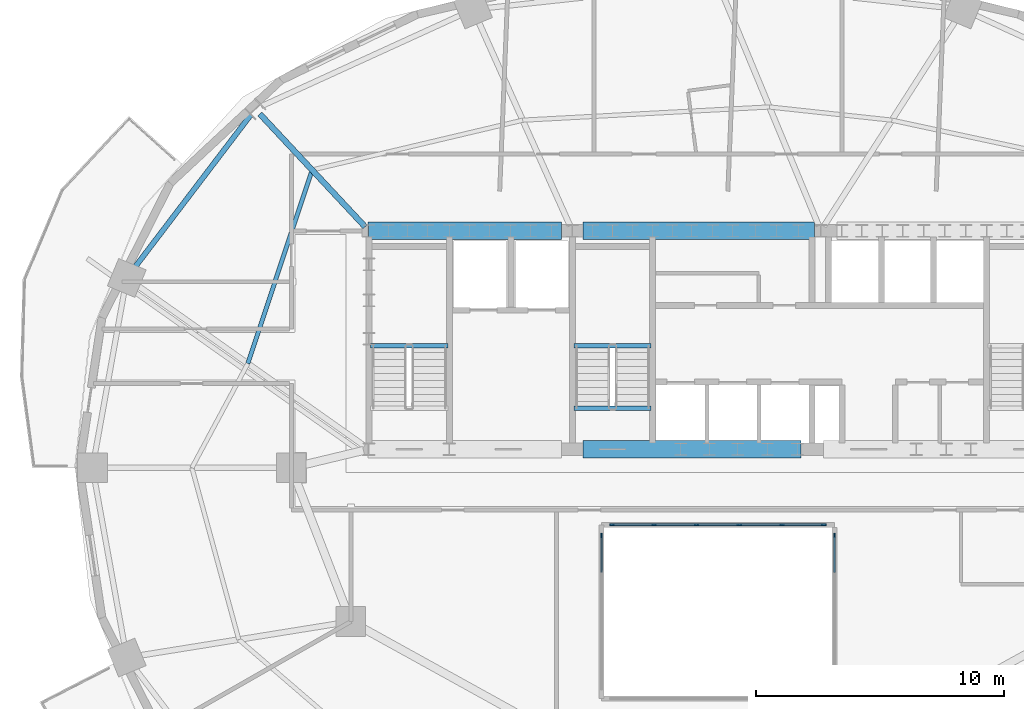
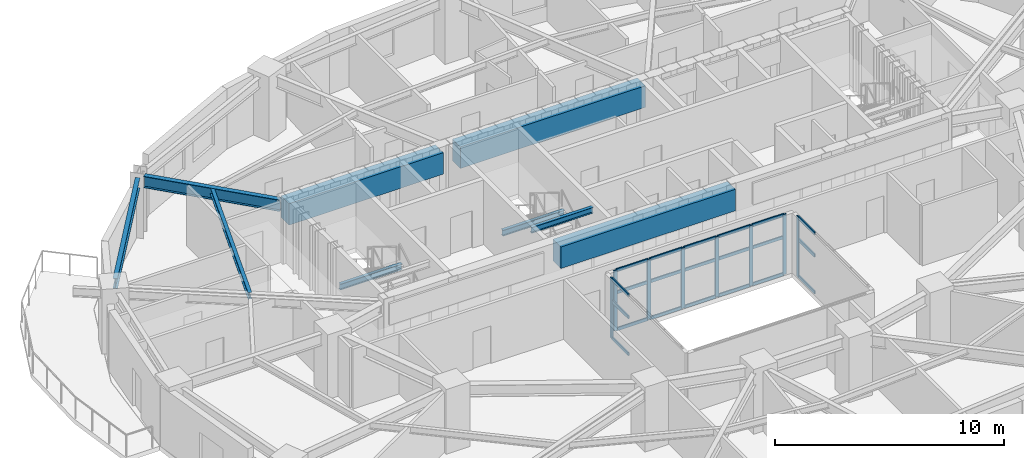
# One storey, part 3 of 13: 29 members, 9 beams, 3 elements without a shape of their own.
"""IFC4 building model written with IfcOpenShell, lengths in metres."""

from ifc_helpers import new_model, si_unit, direction, frame, origin, origin_2d, place, context, subcontext, project, spatial, rectangle, i_section, extrude, material, material_profile, profile_set, type_object, element, aggregate, save


model = new_model("IFC4")

# Units and contexts
model_context = context("Model", 3, precision=1e-05, world=origin(), true_north=direction((0.0, 1.0)))
body_context = subcontext(model_context, "Body", "Model", "MODEL_VIEW")
ifc_project = project(units=[si_unit("LENGTHUNIT", "METRE"), si_unit("AREAUNIT", "SQUARE_METRE"), si_unit("VOLUMEUNIT", "CUBIC_METRE"), si_unit("PLANEANGLEUNIT", "RADIAN"), si_unit("MASSUNIT", "GRAM", prefix="KILO")], contexts=[model_context])

# Site, building, storey
site_placement = place(None, origin())
site = spatial("IfcSite", under=ifc_project, at=site_placement, CompositionType="ELEMENT")
building_placement = place(site_placement, origin())
building = spatial("IfcBuilding", under=site, at=building_placement, Name="Haldorwick Loom Tower", CompositionType="ELEMENT")
storey_placement = place(building_placement, frame((0.0, 0.0, 135.64990234375)))
storey = spatial("IfcBuildingStorey", under=building, at=storey_placement, Name="L36", CompositionType="ELEMENT", Elevation=135.64990234375)

# Curtain wall, members
ifc_material_1 = material(Name="Thermally Broken Anodized Aluminium Curtain Wall Framing", Category="aluminium")
curtain_wall_type = type_object("IfcCurtainWallType", Name="ARC-CW-03", PredefinedType="NOTDEFINED", material=ifc_material_1)
curtain_wall_1_placement = place(storey_placement, origin())
curtain_wall_1 = element("IfcCurtainWall", 1, at=curtain_wall_1_placement, inside=storey, type_object=curtain_wall_type, Name="L36 Atrium Glazed Screen N", PredefinedType="NOTDEFINED")
ifc_material_profile_1 = material_profile(ifc_material_1, rectangle(XDim=0.06591796875, YDim=0.18505859375, at=origin_2d()), Name="ALU_MUL_66X185", Category="aluminium")
ifc_profile_set_1 = profile_set([ifc_material_profile_1], Name="Thermally Broken Anodized Aluminium Curtain Wall Framing")
member_type_1 = type_object("IfcMemberType", Name="ARC-CWM-03", PredefinedType="MULLION", material=ifc_profile_set_1)
member_1_placement = place(storey_placement, frame((31.73291015625, 23.699951171875, 0.0), z_axis=(0.0, 0.0, 1.0), x_axis=(0.0, 1.0, 0.0)))
member_1 = element("IfcMember", 2, at=member_1_placement, type_object=member_type_1, Name="CW-03 mullion 1", PredefinedType="MULLION", context=body_context, shape_type="SweptSolid", body=[
    extrude(rectangle(XDim=0.06591796875, YDim=0.18505859375, at=origin_2d()), origin(), (0.0, 0.0, 1.0), 3.210205078125),
])
member_2_placement = place(storey_placement, frame((33.419921875, 23.699951171875, 0.0), z_axis=(0.0, 0.0, 1.0), x_axis=(0.0, 1.0, 0.0)))
member_2 = element("IfcMember", 3, at=member_2_placement, type_object=member_type_1, Name="CW-03 mullion 2", PredefinedType="MULLION", context=body_context, shape_type="SweptSolid", body=[
    extrude(rectangle(XDim=0.06591796875, YDim=0.18505859375, at=origin_2d()), origin(), (0.0, 0.0, 1.0), 3.210205078125),
])
member_3_placement = place(storey_placement, frame((35.139892578125, 23.699951171875, 0.0), z_axis=(0.0, 0.0, 1.0), x_axis=(0.0, 1.0, 0.0)))
member_3 = element("IfcMember", 4, at=member_3_placement, type_object=member_type_1, Name="CW-03 mullion 3", PredefinedType="MULLION", context=body_context, shape_type="SweptSolid", body=[
    extrude(rectangle(XDim=0.06591796875, YDim=0.18505859375, at=origin_2d()), origin(), (0.0, 0.0, 1.0), 3.210205078125),
])
member_4_placement = place(storey_placement, frame((36.860107421875, 23.699951171875, 0.0), z_axis=(0.0, 0.0, 1.0), x_axis=(0.0, 1.0, 0.0)))
member_4 = element("IfcMember", 5, at=member_4_placement, type_object=member_type_1, Name="CW-03 mullion 4", PredefinedType="MULLION", context=body_context, shape_type="SweptSolid", body=[
    extrude(rectangle(XDim=0.06591796875, YDim=0.18505859375, at=origin_2d()), origin(), (0.0, 0.0, 1.0), 3.210205078125),
])
member_5_placement = place(storey_placement, frame((38.580078125, 23.699951171875, 0.0), z_axis=(0.0, 0.0, 1.0), x_axis=(0.0, 1.0, 0.0)))
member_5 = element("IfcMember", 6, at=member_5_placement, type_object=member_type_1, Name="CW-03 mullion 5", PredefinedType="MULLION", context=body_context, shape_type="SweptSolid", body=[
    extrude(rectangle(XDim=0.06591796875, YDim=0.18505859375, at=origin_2d()), origin(), (0.0, 0.0, 1.0), 3.210205078125),
])
member_6_placement = place(storey_placement, frame((40.26708984375, 23.699951171875, 0.0), z_axis=(0.0, 0.0, 1.0), x_axis=(0.0, 1.0, 0.0)))
member_6 = element("IfcMember", 7, at=member_6_placement, type_object=member_type_1, Name="CW-03 mullion 6", PredefinedType="MULLION", context=body_context, shape_type="SweptSolid", body=[
    extrude(rectangle(XDim=0.06591796875, YDim=0.18505859375, at=origin_2d()), origin(), (0.0, 0.0, 1.0), 3.210205078125),
])

# Curtain wall, member
curtain_wall_2_placement = place(storey_placement, origin())
curtain_wall_2 = element("IfcCurtainWall", 8, at=curtain_wall_2_placement, inside=storey, type_object=curtain_wall_type, Name="L36 Atrium Glazed Screen W", PredefinedType="NOTDEFINED")
member_7_placement = place(storey_placement, frame((31.300048828125, 23.26708984375, 0.0), z_axis=(0.0, 0.0, 1.0), x_axis=(-1.0, 0.0, 0.0)))
member_7 = element("IfcMember", 9, at=member_7_placement, type_object=member_type_1, Name="CW-03 mullion 5", PredefinedType="MULLION", context=body_context, shape_type="SweptSolid", body=[
    extrude(rectangle(XDim=0.06591796875, YDim=0.18505859375, at=origin_2d()), origin(), (0.0, 0.0, 1.0), 3.210205078125),
])

curtain_wall_3_placement = place(storey_placement, origin())
curtain_wall_3 = element("IfcCurtainWall", 10, at=curtain_wall_3_placement, inside=storey, type_object=curtain_wall_type, Name="L36 Atrium Glazed Screen E", PredefinedType="NOTDEFINED")
member_8_placement = place(storey_placement, frame((40.699951171875, 23.26708984375, 0.0), z_axis=(0.0, 0.0, 1.0), x_axis=(1.0, 0.0, 0.0)))
member_8 = element("IfcMember", 11, at=member_8_placement, type_object=member_type_1, Name="CW-03 mullion 1", PredefinedType="MULLION", context=body_context, shape_type="SweptSolid", body=[
    extrude(rectangle(XDim=0.06591796875, YDim=0.18505859375, at=origin_2d()), origin(), (0.0, 0.0, 1.0), 3.210205078125),
])

# Member
ifc_material_profile_2 = material_profile(ifc_material_1, rectangle(XDim=0.06591796875, YDim=0.1650390625, at=origin_2d()), Name="ALU_TRN_66X165", Category="aluminium")
ifc_profile_set_2 = profile_set([ifc_material_profile_2], Name="Thermally Broken Anodized Aluminium Curtain Wall Framing")
member_type_2 = type_object("IfcMemberType", Name="ARC-CWT-03", PredefinedType="USERDEFINED", material=ifc_profile_set_2)
member_9_placement = place(storey_placement, frame((31.76611328125, 23.699951171875, 0.033203125), z_axis=(1.0, 0.0, 0.0), x_axis=(0.0, 1.0, 0.0)))
member_9 = element("IfcMember", 12, at=member_9_placement, type_object=member_type_2, Name="CW-03 transom 1.1", ObjectType="TRANSOM", PredefinedType="USERDEFINED", context=body_context, shape_type="SweptSolid", body=[
    extrude(rectangle(XDim=0.06591796875, YDim=0.1650390625, at=origin_2d()), origin(), (0.0, 0.0, 1.0), 1.620849609375),
])

member_10_placement = place(storey_placement, frame((31.76611328125, 23.699951171875, 2.0), z_axis=(1.0, 0.0, 0.0), x_axis=(0.0, 1.0, 0.0)))
member_10 = element("IfcMember", 13, at=member_10_placement, type_object=member_type_2, Name="CW-03 transom 1.2", ObjectType="TRANSOM", PredefinedType="USERDEFINED", context=body_context, shape_type="SweptSolid", body=[
    extrude(rectangle(XDim=0.06591796875, YDim=0.1650390625, at=origin_2d()), origin(), (0.0, 0.0, 1.0), 1.620849609375),
])

member_11_placement = place(storey_placement, frame((31.76611328125, 23.699951171875, 3.177001953125), z_axis=(1.0, 0.0, 0.0), x_axis=(0.0, 1.0, 0.0)))
member_11 = element("IfcMember", 14, at=member_11_placement, type_object=member_type_2, Name="CW-03 transom 1.3", ObjectType="TRANSOM", PredefinedType="USERDEFINED", context=body_context, shape_type="SweptSolid", body=[
    extrude(rectangle(XDim=0.06591796875, YDim=0.1650390625, at=origin_2d()), origin(), (0.0, 0.0, 1.0), 1.620849609375),
])

member_12_placement = place(storey_placement, frame((33.452880859375, 23.699951171875, 0.033203125), z_axis=(1.0, 0.0, 0.0), x_axis=(0.0, 1.0, 0.0)))
member_12 = element("IfcMember", 15, at=member_12_placement, type_object=member_type_2, Name="CW-03 transom 2.1", ObjectType="TRANSOM", PredefinedType="USERDEFINED", context=body_context, shape_type="SweptSolid", body=[
    extrude(rectangle(XDim=0.06591796875, YDim=0.1650390625, at=origin_2d()), origin(), (0.0, 0.0, 1.0), 1.654052734375),
])

member_13_placement = place(storey_placement, frame((33.452880859375, 23.699951171875, 2.0), z_axis=(1.0, 0.0, 0.0), x_axis=(0.0, 1.0, 0.0)))
member_13 = element("IfcMember", 16, at=member_13_placement, type_object=member_type_2, Name="CW-03 transom 2.2", ObjectType="TRANSOM", PredefinedType="USERDEFINED", context=body_context, shape_type="SweptSolid", body=[
    extrude(rectangle(XDim=0.06591796875, YDim=0.1650390625, at=origin_2d()), origin(), (0.0, 0.0, 1.0), 1.654052734375),
])

member_14_placement = place(storey_placement, frame((33.452880859375, 23.699951171875, 3.177001953125), z_axis=(1.0, 0.0, 0.0), x_axis=(0.0, 1.0, 0.0)))
member_14 = element("IfcMember", 17, at=member_14_placement, type_object=member_type_2, Name="CW-03 transom 2.3", ObjectType="TRANSOM", PredefinedType="USERDEFINED", context=body_context, shape_type="SweptSolid", body=[
    extrude(rectangle(XDim=0.06591796875, YDim=0.1650390625, at=origin_2d()), origin(), (0.0, 0.0, 1.0), 1.654052734375),
])

member_15_placement = place(storey_placement, frame((35.173095703125, 23.699951171875, 0.033203125), z_axis=(1.0, 0.0, 0.0), x_axis=(0.0, 1.0, 0.0)))
member_15 = element("IfcMember", 18, at=member_15_placement, type_object=member_type_2, Name="CW-03 transom 3.1", ObjectType="TRANSOM", PredefinedType="USERDEFINED", context=body_context, shape_type="SweptSolid", body=[
    extrude(rectangle(XDim=0.06591796875, YDim=0.1650390625, at=origin_2d()), origin(), (0.0, 0.0, 1.0), 1.65380859375),
])

member_16_placement = place(storey_placement, frame((35.173095703125, 23.699951171875, 2.0), z_axis=(1.0, 0.0, 0.0), x_axis=(0.0, 1.0, 0.0)))
member_16 = element("IfcMember", 19, at=member_16_placement, type_object=member_type_2, Name="CW-03 transom 3.2", ObjectType="TRANSOM", PredefinedType="USERDEFINED", context=body_context, shape_type="SweptSolid", body=[
    extrude(rectangle(XDim=0.06591796875, YDim=0.1650390625, at=origin_2d()), origin(), (0.0, 0.0, 1.0), 1.65380859375),
])

member_17_placement = place(storey_placement, frame((35.173095703125, 23.699951171875, 3.177001953125), z_axis=(1.0, 0.0, 0.0), x_axis=(0.0, 1.0, 0.0)))
member_17 = element("IfcMember", 20, at=member_17_placement, type_object=member_type_2, Name="CW-03 transom 3.3", ObjectType="TRANSOM", PredefinedType="USERDEFINED", context=body_context, shape_type="SweptSolid", body=[
    extrude(rectangle(XDim=0.06591796875, YDim=0.1650390625, at=origin_2d()), origin(), (0.0, 0.0, 1.0), 1.65380859375),
])

member_18_placement = place(storey_placement, frame((36.89306640625, 23.699951171875, 0.033203125), z_axis=(1.0, 0.0, 0.0), x_axis=(0.0, 1.0, 0.0)))
member_18 = element("IfcMember", 21, at=member_18_placement, type_object=member_type_2, Name="CW-03 transom 4.1", ObjectType="TRANSOM", PredefinedType="USERDEFINED", context=body_context, shape_type="SweptSolid", body=[
    extrude(rectangle(XDim=0.06591796875, YDim=0.1650390625, at=origin_2d()), origin(), (0.0, 0.0, 1.0), 1.654052734375),
])

member_19_placement = place(storey_placement, frame((36.89306640625, 23.699951171875, 2.0), z_axis=(1.0, 0.0, 0.0), x_axis=(0.0, 1.0, 0.0)))
member_19 = element("IfcMember", 22, at=member_19_placement, type_object=member_type_2, Name="CW-03 transom 4.2", ObjectType="TRANSOM", PredefinedType="USERDEFINED", context=body_context, shape_type="SweptSolid", body=[
    extrude(rectangle(XDim=0.06591796875, YDim=0.1650390625, at=origin_2d()), origin(), (0.0, 0.0, 1.0), 1.654052734375),
])

member_20_placement = place(storey_placement, frame((36.89306640625, 23.699951171875, 3.177001953125), z_axis=(1.0, 0.0, 0.0), x_axis=(0.0, 1.0, 0.0)))
member_20 = element("IfcMember", 23, at=member_20_placement, type_object=member_type_2, Name="CW-03 transom 4.3", ObjectType="TRANSOM", PredefinedType="USERDEFINED", context=body_context, shape_type="SweptSolid", body=[
    extrude(rectangle(XDim=0.06591796875, YDim=0.1650390625, at=origin_2d()), origin(), (0.0, 0.0, 1.0), 1.654052734375),
])

member_21_placement = place(storey_placement, frame((38.613037109375, 23.699951171875, 0.033203125), z_axis=(1.0, 0.0, 0.0), x_axis=(0.0, 1.0, 0.0)))
member_21 = element("IfcMember", 24, at=member_21_placement, type_object=member_type_2, Name="CW-03 transom 5.1", ObjectType="TRANSOM", PredefinedType="USERDEFINED", context=body_context, shape_type="SweptSolid", body=[
    extrude(rectangle(XDim=0.06591796875, YDim=0.1650390625, at=origin_2d()), origin(), (0.0, 0.0, 1.0), 1.620849609375),
])

member_22_placement = place(storey_placement, frame((38.613037109375, 23.699951171875, 2.0), z_axis=(1.0, 0.0, 0.0), x_axis=(0.0, 1.0, 0.0)))
member_22 = element("IfcMember", 25, at=member_22_placement, type_object=member_type_2, Name="CW-03 transom 5.2", ObjectType="TRANSOM", PredefinedType="USERDEFINED", context=body_context, shape_type="SweptSolid", body=[
    extrude(rectangle(XDim=0.06591796875, YDim=0.1650390625, at=origin_2d()), origin(), (0.0, 0.0, 1.0), 1.620849609375),
])

member_23_placement = place(storey_placement, frame((38.613037109375, 23.699951171875, 3.177001953125), z_axis=(1.0, 0.0, 0.0), x_axis=(0.0, 1.0, 0.0)))
member_23 = element("IfcMember", 26, at=member_23_placement, type_object=member_type_2, Name="CW-03 transom 5.3", ObjectType="TRANSOM", PredefinedType="USERDEFINED", context=body_context, shape_type="SweptSolid", body=[
    extrude(rectangle(XDim=0.06591796875, YDim=0.1650390625, at=origin_2d()), origin(), (0.0, 0.0, 1.0), 1.620849609375),
])

aggregate(curtain_wall_1, [member_1, member_2, member_3, member_4, member_5, member_6, member_9, member_10, member_11, member_12, member_13, member_14, member_15, member_16, member_17, member_18, member_19, member_20, member_21, member_22, member_23])

member_24_placement = place(storey_placement, frame((31.300048828125, 21.782958984375, 0.033203125), z_axis=(0.0, 1.0, 0.0), x_axis=(-1.0, 0.0, 0.0)))
member_24 = element("IfcMember", 27, at=member_24_placement, type_object=member_type_2, Name="CW-03 transom 4.1", ObjectType="TRANSOM", PredefinedType="USERDEFINED", context=body_context, shape_type="SweptSolid", body=[
    extrude(rectangle(XDim=0.06591796875, YDim=0.1650390625, at=origin_2d()), origin(), (0.0, 0.0, 1.0), 1.450927734375),
])

member_25_placement = place(storey_placement, frame((31.300048828125, 21.782958984375, 2.0), z_axis=(0.0, 1.0, 0.0), x_axis=(-1.0, 0.0, 0.0)))
member_25 = element("IfcMember", 28, at=member_25_placement, type_object=member_type_2, Name="CW-03 transom 4.2", ObjectType="TRANSOM", PredefinedType="USERDEFINED", context=body_context, shape_type="SweptSolid", body=[
    extrude(rectangle(XDim=0.06591796875, YDim=0.1650390625, at=origin_2d()), origin(), (0.0, 0.0, 1.0), 1.450927734375),
])

member_26_placement = place(storey_placement, frame((31.300048828125, 21.782958984375, 3.177001953125), z_axis=(0.0, 1.0, 0.0), x_axis=(-1.0, 0.0, 0.0)))
member_26 = element("IfcMember", 29, at=member_26_placement, type_object=member_type_2, Name="CW-03 transom 4.3", ObjectType="TRANSOM", PredefinedType="USERDEFINED", context=body_context, shape_type="SweptSolid", body=[
    extrude(rectangle(XDim=0.06591796875, YDim=0.1650390625, at=origin_2d()), origin(), (0.0, 0.0, 1.0), 1.450927734375),
])

aggregate(curtain_wall_2, [member_7, member_24, member_25, member_26])

member_27_placement = place(storey_placement, frame((40.699951171875, 23.23388671875, 0.033203125), z_axis=(0.0, -1.0, 0.0), x_axis=(1.0, 0.0, 0.0)))
member_27 = element("IfcMember", 30, at=member_27_placement, type_object=member_type_2, Name="CW-03 transom 1.1", ObjectType="TRANSOM", PredefinedType="USERDEFINED", context=body_context, shape_type="SweptSolid", body=[
    extrude(rectangle(XDim=0.06591796875, YDim=0.1650390625, at=origin_2d()), origin(), (0.0, 0.0, 1.0), 1.450927734375),
])

member_28_placement = place(storey_placement, frame((40.699951171875, 23.23388671875, 2.0), z_axis=(0.0, -1.0, 0.0), x_axis=(1.0, 0.0, 0.0)))
member_28 = element("IfcMember", 31, at=member_28_placement, type_object=member_type_2, Name="CW-03 transom 1.2", ObjectType="TRANSOM", PredefinedType="USERDEFINED", context=body_context, shape_type="SweptSolid", body=[
    extrude(rectangle(XDim=0.06591796875, YDim=0.1650390625, at=origin_2d()), origin(), (0.0, 0.0, 1.0), 1.450927734375),
])

member_29_placement = place(storey_placement, frame((40.699951171875, 23.23388671875, 3.177001953125), z_axis=(0.0, -1.0, 0.0), x_axis=(1.0, 0.0, 0.0)))
member_29 = element("IfcMember", 32, at=member_29_placement, type_object=member_type_2, Name="CW-03 transom 1.3", ObjectType="TRANSOM", PredefinedType="USERDEFINED", context=body_context, shape_type="SweptSolid", body=[
    extrude(rectangle(XDim=0.06591796875, YDim=0.1650390625, at=origin_2d()), origin(), (0.0, 0.0, 1.0), 1.450927734375),
])

aggregate(curtain_wall_3, [member_8, member_27, member_28, member_29])

# Beams
ifc_material_2 = material(Name="Concrete C60 (60 MPa)", Category="concrete")
ifc_material_profile_3 = material_profile(ifc_material_2, rectangle(XDim=0.699951171875, YDim=1.14990234375, at=origin_2d()), Name="RC700X1150", Category="concrete")
ifc_profile_set_3 = profile_set([ifc_material_profile_3], Name="Concrete C60 (60 MPa)")
beam_type_1 = type_object("IfcBeamType", Name="STR-BM-CB1150", PredefinedType="LINTEL", material=ifc_profile_set_3)
beam_1_placement = place(storey_placement, frame((21.89990234375, 35.550048828125, 2.635009765625), z_axis=(1.0, 0.0, 0.0), x_axis=(0.0, 1.0, 0.0)))
element("IfcBeam", 33, at=beam_1_placement, inside=storey, type_object=beam_type_1, Name="L36 Core Coupling Beam CB-N1", PredefinedType="LINTEL", context=body_context, shape_type="SweptSolid", body=[
    extrude(rectangle(XDim=0.699951171875, YDim=1.14990234375, at=origin_2d()), origin(), (0.0, 0.0, 1.0), 7.800048828125),
])
beam_2_placement = place(storey_placement, frame((30.550048828125, 35.550048828125, 2.635009765625), z_axis=(1.0, 0.0, 0.0), x_axis=(0.0, 1.0, 0.0)))
element("IfcBeam", 34, at=beam_2_placement, inside=storey, type_object=beam_type_1, Name="L36 Core Coupling Beam CB-N2", PredefinedType="LINTEL", context=body_context, shape_type="SweptSolid", body=[
    extrude(rectangle(XDim=0.699951171875, YDim=1.14990234375, at=origin_2d()), origin(), (0.0, 0.0, 1.0), 9.349853515625),
])
beam_3_placement = place(storey_placement, frame((30.550048828125, 26.75, 2.635009765625), z_axis=(1.0, 0.0, 0.0), x_axis=(0.0, 1.0, 0.0)))
element("IfcBeam", 35, at=beam_3_placement, inside=storey, type_object=beam_type_1, Name="L36 Core Coupling Beam CB-S2", PredefinedType="LINTEL", context=body_context, shape_type="SweptSolid", body=[
    extrude(rectangle(XDim=0.699951171875, YDim=1.14990234375, at=origin_2d()), origin(), (0.0, 0.0, 1.0), 8.800048828125),
])
ifc_material_3 = material(Name="Steel CSA G40.21 350W", Category="steel")
ifc_material_profile_4 = material_profile(ifc_material_3, i_section(OverallWidth=0.172119140625, OverallDepth=0.35791015625, WebThickness=0.0078125, FlangeThickness=0.01318359375, at=origin_2d()), Name="W360X57", Category="steel")
ifc_profile_set_4 = profile_set([ifc_material_profile_4], Name="Steel CSA G40.21 350W")
beam_type_2 = type_object("IfcBeamType", Name="STR-BM-J360", PredefinedType="JOIST", material=ifc_profile_set_4)
beam_4_placement = place(storey_placement, frame((19.63720703125, 38.007080078125, 3.031005859375), z_axis=(-0.314980632705, -0.949098098734, 0.0), x_axis=(0.949098098734, -0.314980632705, 0.0)))
element("IfcBeam", 36, at=beam_4_placement, inside=storey, type_object=beam_type_2, Name="L36 Mid-Bay Secondary Joist 7", PredefinedType="JOIST", context=body_context, shape_type="SweptSolid", body=[
    extrude(i_section(OverallWidth=0.172119140625, OverallDepth=0.35791015625, WebThickness=0.0078125, FlangeThickness=0.01318359375, at=origin_2d()), origin(), (0.0, 0.0, 1.0), 8.223876953125),
])
ifc_material_profile_5 = material_profile(ifc_material_3, i_section(OverallWidth=0.2119140625, OverallDepth=0.5439453125, WebThickness=0.01318359375, FlangeThickness=0.021240234375, at=origin_2d()), Name="W530X123", Category="steel")
ifc_profile_set_5 = profile_set([ifc_material_profile_5], Name="Steel CSA G40.21 350W")
beam_type_3 = type_object("IfcBeamType", Name="STR-BM-SP530", PredefinedType="SPANDREL", material=ifc_profile_set_5)
beam_5_placement = place(storey_placement, frame((17.177978515625, 40.245361328125, 2.93798828125), z_axis=(-0.605421356486, -0.795905133236, 0.0), x_axis=(0.795905133236, -0.605421356486, 0.0)))
element("IfcBeam", 37, at=beam_5_placement, inside=storey, type_object=beam_type_3, Name="L36 Perimeter Spandrel 7", PredefinedType="SPANDREL", context=body_context, shape_type="SweptSolid", body=[
    extrude(i_section(OverallWidth=0.2119140625, OverallDepth=0.5439453125, WebThickness=0.01318359375, FlangeThickness=0.021240234375, at=origin_2d()), origin(), (0.0, 0.0, 1.0), 7.761962890625),
])
ifc_material_profile_6 = material_profile(ifc_material_3, i_section(OverallWidth=0.166015625, OverallDepth=0.31298828125, WebThickness=0.006591796875, FlangeThickness=0.01123046875, at=origin_2d()), Name="W310X45", Category="steel")
ifc_profile_set_6 = profile_set([ifc_material_profile_6], Name="Steel CSA G40.21 350W")
beam_type_4 = type_object("IfcBeamType", Name="STR-BM-STRM", PredefinedType="BEAM", material=ifc_profile_set_6)
for number, where, z_axis, x_axis, name in (
    (38, (21.989990234375, 30.919921875, 1.36865234375), (1.0, 0.0, 0.0), (0.0, 1.0, 0.0), "L36 Stair ST-01 Half-Landing Trimmer 1"),
    (39, (30.18994140625, 28.39990234375, 3.0537109375), (1.0, 0.0, 0.0), (0.0, 1.0, 0.0), "L36 Stair ST-03 Landing Edge Trimmer"),
    (40, (30.18994140625, 30.919921875, 1.36865234375), (1.0, 0.0, 0.0), (0.0, 1.0, 0.0), "L36 Stair ST-03 Half-Landing Trimmer 1"),
):
    element("IfcBeam", number, at=place(storey_placement, frame(where, z_axis=z_axis, x_axis=x_axis)), inside=storey, type_object=beam_type_4, Name=name, PredefinedType="BEAM", context=body_context, shape_type="SweptSolid", body=[
        extrude(i_section(OverallWidth=0.166015625, OverallDepth=0.31298828125, WebThickness=0.006591796875, FlangeThickness=0.01123046875, at=origin_2d()), origin(), (0.0, 0.0, 1.0), 3.1201171875),
    ])
ifc_material_profile_7 = material_profile(ifc_material_3, i_section(OverallWidth=0.22998046875, OverallDepth=0.616943359375, WebThickness=0.01318359375, FlangeThickness=0.022216796875, at=origin_2d()), Name="W610X140", Category="steel")
ifc_profile_set_7 = profile_set([ifc_material_profile_7], Name="Steel CSA G40.21 350W")
beam_type_5 = type_object("IfcBeamType", Name="STR-BM-W610B", PredefinedType="BEAM", material=ifc_profile_set_7)
beam_6_placement = place(storey_placement, frame((21.776611328125, 35.714599609375, 2.901611328125), z_axis=(-0.682256728841, 0.731112683484, 0.0), x_axis=(-0.731112683484, -0.682256728841, 0.0)))
element("IfcBeam", 41, at=beam_6_placement, inside=storey, type_object=beam_type_5, Name="L36 Radial Floor Girder 7", PredefinedType="BEAM", context=body_context, shape_type="SweptSolid", body=[
    extrude(i_section(OverallWidth=0.22998046875, OverallDepth=0.616943359375, WebThickness=0.01318359375, FlangeThickness=0.022216796875, at=origin_2d()), origin(), (0.0, 0.0, 1.0), 6.221435546875),
])

save(model, "model.ifc")
